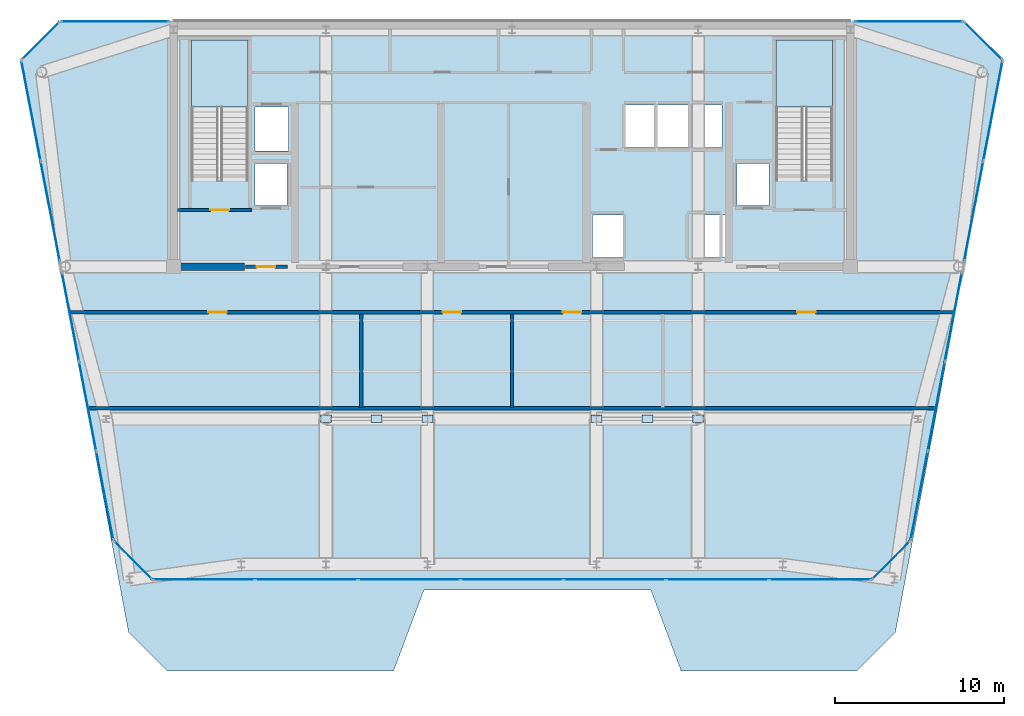
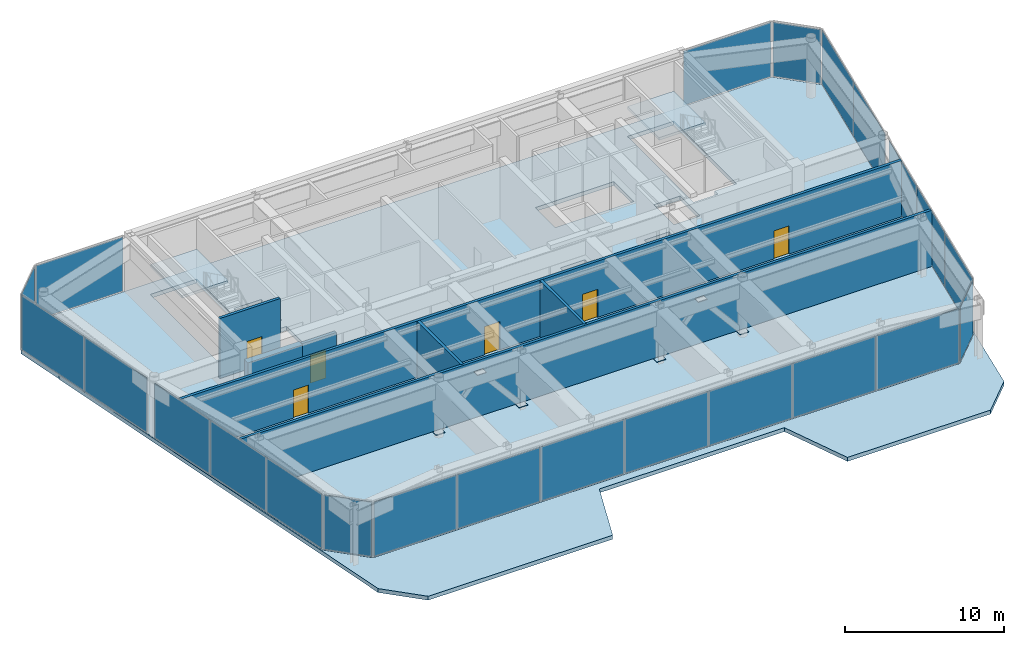
# One storey, part 9 of 14: 29 plates, 7 walls, 6 doors, 4 slabs, 6 openings, 13 elements without a shape of their own.
"""IFC4 building model written with IfcOpenShell, lengths in metres."""

from ifc_helpers import new_model, si_unit, direction, frame, frame_2d, origin, origin_2d, place, context, subcontext, project, spatial, polyline, rectangle, outline, extrude, source, transform, mapped, material, layer, layer_set, type_object, element, fill, aggregate, save


model = new_model("IFC4")

# Units and contexts
model_context = context("Model", 3, precision=1e-05, world=origin(), true_north=direction((0.0, 1.0)))
body_context = subcontext(model_context, "Body", "Model", "MODEL_VIEW")
ifc_project = project(units=[si_unit("LENGTHUNIT", "METRE"), si_unit("AREAUNIT", "SQUARE_METRE"), si_unit("VOLUMEUNIT", "CUBIC_METRE"), si_unit("PLANEANGLEUNIT", "RADIAN"), si_unit("MASSUNIT", "GRAM", prefix="KILO")], contexts=[model_context])

# Site, building, storey
site_placement = place(None, origin())
site = spatial("IfcSite", under=ifc_project, at=site_placement, CompositionType="ELEMENT")
building_placement = place(site_placement, origin())
building = spatial("IfcBuilding", under=site, at=building_placement, Name="Vaeldorn Concourse Tower", CompositionType="ELEMENT")
storey_placement = place(building_placement, frame((0.0, 0.0, 303.800048828125)))
storey = spatial("IfcBuildingStorey", under=building, at=storey_placement, Name="L78", CompositionType="ELEMENT", Elevation=303.800048828125)

# Slab
ifc_material_1 = material(Name="Concrete C40/50", Category="concrete")
ifc_layer_1 = layer(ifc_material_1, 0.300048828125)
ifc_layer_set_1 = layer_set([ifc_layer_1], Name="Concrete C40/50")
slab_type_1 = type_object("IfcSlabType", Name="SL-CROWN-ROOF", PredefinedType="ROOF", material=ifc_layer_set_1)
slab_1_placement = place(storey_placement, frame((0.0, 0.0, -0.300048828125)))
element("IfcSlab", 1, at=slab_1_placement, inside=storey, type_object=slab_type_1, Name="Stepped Crown Terrace Roof Slab L78", PredefinedType="ROOF", context=body_context, shape_type="SweptSolid", body=[
    extrude(outline(polyline([(62.32958984375, 45.122802734375), (57.569580078125, 20.297119140625), (57.5693359375, 20.295654296875), (57.56884765625, 20.294189453125), (57.568359375, 20.29296875), (57.5673828125, 20.291748046875), (57.566650390625, 20.29052734375), (57.565673828125, 20.289306640625), (55.265625, 17.989501953125), (55.264404296875, 17.98828125), (55.26318359375, 17.987548828125), (55.26220703125, 17.98681640625), (55.2607421875, 17.986083984375), (55.259521484375, 17.985595703125), (55.2578125, 17.9853515625), (55.256591796875, 17.985107421875), (55.2548828125, 17.985107421875), (12.7451171875, 17.985107421875), (12.743408203125, 17.985107421875), (12.7421875, 17.9853515625), (12.740478515625, 17.985595703125), (12.7392578125, 17.986083984375), (12.73779296875, 17.98681640625), (12.73681640625, 17.987548828125), (12.735595703125, 17.98828125), (12.734375, 17.989501953125), (10.434326171875, 20.289306640625), (10.433349609375, 20.29052734375), (10.4326171875, 20.291748046875), (10.431640625, 20.29296875), (10.43115234375, 20.294189453125), (10.4306640625, 20.295654296875), (10.430419921875, 20.297119140625), (5.67041015625, 45.122802734375), (11.3359375, 14.89990234375), (13.635986328125, 12.60009765625), (27.0, 12.60009765625), (28.800048828125, 17.39990234375), (42.199951171875, 17.39990234375), (44.0, 12.60009765625), (54.364013671875, 12.60009765625), (56.6640625, 14.89990234375), (62.32958984375, 45.122802734375)])), origin(), (0.0, 0.0, 1.0), 0.300048828125),
])

# Stair, slab
ifc_material_2 = material(Name="Precast concrete C40/50", Category="concrete")
stair_type = type_object("IfcStairType", Name="STR-DOG-30x153", PredefinedType="HALF_TURN_STAIR", material=ifc_material_2)
stair_1_placement = place(storey_placement, origin())
stair_1 = element("IfcStair", 2, at=stair_1_placement, inside=storey, type_object=stair_type, Name="L78 West Core Exit Stair ST-1", PredefinedType="HALF_TURN_STAIR")
ifc_layer_2 = layer(ifc_material_1, 0.199951171875)
ifc_layer_set_2 = layer_set([ifc_layer_2], Name="Concrete C40/50")
slab_type_2 = type_object("IfcSlabType", Name="SL-STAIR-LANDING", PredefinedType="LANDING", material=ifc_layer_set_2)
slab_2_placement = place(storey_placement, frame((0.0, 0.0, 2.099853515625)))
slab_2 = element("IfcSlab", 3, at=slab_2_placement, type_object=slab_type_2, Name="ST-1 landing 1", PredefinedType="LANDING", context=body_context, shape_type="SweptSolid", body=[
    extrude(outline(polyline([(18.39990234375, 45.93994140625), (18.39990234375, 49.89990234375), (15.050048828125, 49.89990234375), (15.050048828125, 45.93994140625), (18.39990234375, 45.93994140625)])), origin(), (0.0, 0.0, 1.0), 0.2001953125),
])
aggregate(stair_1, [slab_2])

stair_2_placement = place(storey_placement, origin())
stair_2 = element("IfcStair", 4, at=stair_2_placement, inside=storey, type_object=stair_type, Name="L78 East Core Exit Stair ST-2", PredefinedType="HALF_TURN_STAIR")
slab_3_placement = place(storey_placement, frame((0.0, 0.0, 2.099853515625)))
slab_3 = element("IfcSlab", 5, at=slab_3_placement, type_object=slab_type_2, Name="ST-2 landing 1", PredefinedType="LANDING", context=body_context, shape_type="SweptSolid", body=[
    extrude(outline(polyline([(52.949951171875, 45.93994140625), (52.949951171875, 49.89990234375), (49.60009765625, 49.89990234375), (49.60009765625, 45.93994140625), (52.949951171875, 45.93994140625)])), origin(), (0.0, 0.0, 1.0), 0.2001953125),
])
aggregate(stair_2, [slab_3])

# Slab
ifc_layer_3 = layer(ifc_material_1, 0.260009765625)
ifc_layer_set_3 = layer_set([ifc_layer_3], Name="Concrete C40/50")
slab_type_3 = type_object("IfcSlabType", Name="SL-TRN-260", PredefinedType="FLOOR", material=ifc_layer_set_3)
slab_4_placement = place(storey_placement, frame((0.0, 0.0, -0.300048828125)))
element("IfcSlab", 6, at=slab_4_placement, inside=storey, type_object=slab_type_3, Name="Structural Floor Slab L78", PredefinedType="FLOOR", context=body_context, shape_type="SweptSolid", body=[
    extrude(outline(polyline([(12.7451171875, 18.0), (55.2548828125, 18.0), (57.554931640625, 20.300048828125), (63.0, 48.699951171875), (60.699951171875, 51.0), (7.300048828125, 51.0), (5.0, 48.699951171875), (10.445068359375, 20.300048828125), (12.7451171875, 18.0)]), holes=[polyline([(18.39990234375, 42.0), (18.39990234375, 49.89990234375), (15.050048828125, 49.89990234375), (15.050048828125, 41.60009765625), (16.800048828125, 41.60009765625), (16.800048828125, 42.0), (18.39990234375, 42.0)]), polyline([(52.949951171875, 42.0), (52.949951171875, 49.89990234375), (49.60009765625, 49.89990234375), (49.60009765625, 41.60009765625), (51.35009765625, 41.60009765625), (51.35009765625, 42.0), (52.949951171875, 42.0)]), polyline([(38.75, 37.050048828125), (40.550048828125, 37.050048828125), (40.550048828125, 39.550048828125), (38.75, 39.550048828125), (38.75, 37.050048828125)]), polyline([(44.85009765625, 37.050048828125), (46.64990234375, 37.050048828125), (46.64990234375, 39.550048828125), (44.85009765625, 39.550048828125), (44.85009765625, 37.050048828125)]), polyline([(40.699951171875, 43.550048828125), (46.39990234375, 43.550048828125), (46.39990234375, 46.050048828125), (40.699951171875, 46.050048828125), (40.699951171875, 43.550048828125)]), polyline([(18.800048828125, 43.35009765625), (20.800048828125, 43.35009765625), (20.800048828125, 45.949951171875), (18.800048828125, 45.949951171875), (18.800048828125, 43.35009765625)]), polyline([(18.800048828125, 40.10009765625), (20.699951171875, 40.10009765625), (20.699951171875, 42.60009765625), (18.800048828125, 42.60009765625), (18.800048828125, 40.10009765625)]), polyline([(47.300048828125, 40.10009765625), (49.199951171875, 40.10009765625), (49.199951171875, 42.60009765625), (47.300048828125, 42.60009765625), (47.300048828125, 40.10009765625)])]), origin(), (0.0, 0.0, 1.0), 0.300048828125),
])

# Plates
ifc_material_3 = material(Name="Steel S460", Category="steel")
ifc_layer_4 = layer(ifc_material_3, 0.034912109375)
ifc_layer_set_4 = layer_set([ifc_layer_4], Name="Steel S460")
plate_type_1 = type_object("IfcPlateType", Name="PL-GUSSET-KN1", PredefinedType="USERDEFINED", material=ifc_layer_set_4)
shared_shape_1 = source(origin(), body_context, "Body", "SweptSolid", [
    extrude(rectangle(XDim=0.64990234375, YDim=0.449951171875, at=origin_2d()), origin(), (0.0, 0.0, 1.0), 0.034912109375),
])
for number, where, z_axis, x_axis, name in (
    (7, (23.0, 27.5, 0.232421875), (0.0, 0.0, 1.0), (1.0, 0.0, 0.0), "Structural Brace Connection Gusset L78-01"),
    (8, (26.0, 27.5, 3.78271484375), (0.0, 0.0, 1.0), (1.0, 0.0, 0.0), "Structural Brace Connection Gusset L78-02"),
    (9, (29.0, 27.5, 0.232421875), (0.0, 0.0, 1.0), (1.0, 0.0, 0.0), "Structural Brace Connection Gusset L78-03"),
    (10, (39.0, 27.5, 0.232421875), (0.0, 0.0, 1.0), (1.0, 0.0, 0.0), "Structural Brace Connection Gusset L78-04"),
    (11, (42.0, 27.5, 3.78271484375), (0.0, 0.0, 1.0), (1.0, 0.0, 0.0), "Structural Brace Connection Gusset L78-05"),
    (12, (45.0, 27.5, 0.232421875), (0.0, 0.0, 1.0), (1.0, 0.0, 0.0), "Structural Brace Connection Gusset L78-06"),
):
    element("IfcPlate", number, at=place(storey_placement, frame(where, z_axis=z_axis, x_axis=x_axis)), inside=storey, type_object=plate_type_1, Name=name, ObjectType="GUSSET PLATE", PredefinedType="USERDEFINED", context=body_context, shape_type="MappedRepresentation", body=[
        mapped(shared_shape_1, transform((0.0, 0.0, 0.0), scale=1.0)),
    ])

# Curtain wall, plates
ifc_material_4 = material(Name="Anodised Bronze Aluminium", Category="aluminium")
ifc_layer_5 = layer(ifc_material_4, 0.22998046875)
ifc_layer_set_5 = layer_set([ifc_layer_5], Name="Anodised Bronze Aluminium")
curtain_wall_type = type_object("IfcCurtainWallType", Name="CW-SYS-07", PredefinedType="NOTDEFINED", material=ifc_layer_set_5)
curtain_wall_1_placement = place(storey_placement, origin())
curtain_wall_1 = element("IfcCurtainWall", 13, at=curtain_wall_1_placement, inside=storey, type_object=curtain_wall_type, Name="Unitised Curtain Wall CW-L78-E01-1", PredefinedType="NOTDEFINED")
ifc_material_5 = material(Name="Bronze Fritted Spandrel Insulated Glass", Category="glass")
ifc_layer_6 = layer(ifc_material_5, 0.035888671875)
ifc_layer_set_6 = layer_set([ifc_layer_6], Name="Bronze Fritted Spandrel Insulated Glass")
plate_type_2 = type_object("IfcPlateType", Name="CWP-SPANDREL-36", PredefinedType="CURTAIN_PANEL", material=ifc_layer_set_6)
shared_shape_2 = source(origin(), body_context, "Body", "SweptSolid", [
    extrude(rectangle(XDim=5.96044921875, YDim=0.035888671875, at=origin_2d()), origin(), (0.0, 0.0, 1.0), 4.14990234375),
])
plate_1_placement = place(storey_placement, frame((15.80029296875, 18.0, 0.074951171875), z_axis=(0.0, 0.0, 1.0), x_axis=(1.0, 0.0, 0.0)))
plate_1 = element("IfcPlate", 14, at=plate_1_placement, type_object=plate_type_2, Name="CW-07 panel 1.1", PredefinedType="CURTAIN_PANEL", context=body_context, shape_type="MappedRepresentation", body=[
    mapped(shared_shape_2, transform((0.0, 0.0, 0.0), scale=1.0)),
])
plate_2_placement = place(storey_placement, frame((52.19970703125, 18.0, 0.074951171875), z_axis=(0.0, 0.0, 1.0), x_axis=(1.0, 0.0, 0.0)))
plate_2 = element("IfcPlate", 15, at=plate_2_placement, type_object=plate_type_2, Name="CW-07 panel 7.1", PredefinedType="CURTAIN_PANEL", context=body_context, shape_type="MappedRepresentation", body=[
    mapped(shared_shape_2, transform((0.0, 0.0, 0.0), scale=1.0)),
])
shared_shape_3 = source(origin(), body_context, "Body", "SweptSolid", [
    extrude(rectangle(XDim=5.997802734375, YDim=0.035888671875, at=origin_2d()), origin(), (0.0, 0.0, 1.0), 4.14990234375),
])
plate_3_placement = place(storey_placement, frame((21.854248046875, 18.0, 0.074951171875), z_axis=(0.0, 0.0, 1.0), x_axis=(1.0, 0.0, 0.0)))
plate_3 = element("IfcPlate", 16, at=plate_3_placement, type_object=plate_type_2, Name="CW-07 panel 2.1", PredefinedType="CURTAIN_PANEL", context=body_context, shape_type="MappedRepresentation", body=[
    mapped(shared_shape_3, transform((0.0, 0.0, 0.0), scale=1.0)),
])
plate_4_placement = place(storey_placement, frame((27.92724609375, 18.0, 0.074951171875), z_axis=(0.0, 0.0, 1.0), x_axis=(1.0, 0.0, 0.0)))
plate_4 = element("IfcPlate", 17, at=plate_4_placement, type_object=plate_type_2, Name="CW-07 panel 3.1", PredefinedType="CURTAIN_PANEL", context=body_context, shape_type="MappedRepresentation", body=[
    mapped(shared_shape_3, transform((0.0, 0.0, 0.0), scale=1.0)),
])
plate_5_placement = place(storey_placement, frame((34.0, 18.0, 0.074951171875), z_axis=(0.0, 0.0, 1.0), x_axis=(1.0, 0.0, 0.0)))
plate_5 = element("IfcPlate", 18, at=plate_5_placement, type_object=plate_type_2, Name="CW-07 panel 4.1", PredefinedType="CURTAIN_PANEL", context=body_context, shape_type="MappedRepresentation", body=[
    mapped(shared_shape_3, transform((0.0, 0.0, 0.0), scale=1.0)),
])
plate_6_placement = place(storey_placement, frame((40.07275390625, 18.0, 0.074951171875), z_axis=(0.0, 0.0, 1.0), x_axis=(1.0, 0.0, 0.0)))
plate_6 = element("IfcPlate", 19, at=plate_6_placement, type_object=plate_type_2, Name="CW-07 panel 5.1", PredefinedType="CURTAIN_PANEL", context=body_context, shape_type="MappedRepresentation", body=[
    mapped(shared_shape_3, transform((0.0, 0.0, 0.0), scale=1.0)),
])
plate_7_placement = place(storey_placement, frame((46.145751953125, 18.0, 0.074951171875), z_axis=(0.0, 0.0, 1.0), x_axis=(1.0, 0.0, 0.0)))
plate_7 = element("IfcPlate", 20, at=plate_7_placement, type_object=plate_type_2, Name="CW-07 panel 6.1", PredefinedType="CURTAIN_PANEL", context=body_context, shape_type="MappedRepresentation", body=[
    mapped(shared_shape_3, transform((0.0, 0.0, 0.0), scale=1.0)),
])
aggregate(curtain_wall_1, [plate_1, plate_3, plate_4, plate_5, plate_6, plate_7, plate_2])

# Curtain wall, plate
curtain_wall_2_placement = place(storey_placement, origin())
curtain_wall_2 = element("IfcCurtainWall", 21, at=curtain_wall_2_placement, inside=storey, type_object=curtain_wall_type, Name="Unitised Curtain Wall CW-L78-E02-1", PredefinedType="NOTDEFINED")
shared_shape_4 = source(origin(), body_context, "Body", "SweptSolid", [
    extrude(rectangle(XDim=3.102783203125, YDim=0.035888671875, at=origin_2d()), origin(), (0.0, 0.0, 1.0), 4.14990234375),
])
plate_8_placement = place(storey_placement, frame((56.405029296875, 19.14990234375, 0.074951171875), z_axis=(0.0, 0.0, 1.0), x_axis=(0.707106781187, 0.707106781187, 0.0)))
plate_8 = element("IfcPlate", 22, at=plate_8_placement, type_object=plate_type_2, Name="CW-07 panel 1.1", PredefinedType="CURTAIN_PANEL", context=body_context, shape_type="MappedRepresentation", body=[
    mapped(shared_shape_4, transform((0.0, 0.0, 0.0), scale=1.0)),
])
aggregate(curtain_wall_2, [plate_8])

curtain_wall_3_placement = place(storey_placement, origin())
curtain_wall_3 = element("IfcCurtainWall", 23, at=curtain_wall_3_placement, inside=storey, type_object=curtain_wall_type, Name="Unitised Curtain Wall CW-L78-E04-1", PredefinedType="NOTDEFINED")
plate_9_placement = place(storey_placement, frame((61.85009765625, 49.85009765625, 0.074951171875), z_axis=(0.0, 0.0, 1.0), x_axis=(-0.707106781187, 0.707106781187, 0.0)))
plate_9 = element("IfcPlate", 24, at=plate_9_placement, type_object=plate_type_2, Name="CW-07 panel 1.1", PredefinedType="CURTAIN_PANEL", context=body_context, shape_type="MappedRepresentation", body=[
    mapped(shared_shape_4, transform((0.0, 0.0, 0.0), scale=1.0)),
])
aggregate(curtain_wall_3, [plate_9])

curtain_wall_4_placement = place(storey_placement, origin())
curtain_wall_4 = element("IfcCurtainWall", 25, at=curtain_wall_4_placement, inside=storey, type_object=curtain_wall_type, Name="Unitised Curtain Wall CW-L78-E06-1", PredefinedType="NOTDEFINED")
plate_10_placement = place(storey_placement, frame((6.14990234375, 49.85009765625, 0.074951171875), z_axis=(0.0, 0.0, 1.0), x_axis=(-0.707106781187, -0.707106781187, 0.0)))
plate_10 = element("IfcPlate", 26, at=plate_10_placement, type_object=plate_type_2, Name="CW-07 panel 1.1", PredefinedType="CURTAIN_PANEL", context=body_context, shape_type="MappedRepresentation", body=[
    mapped(shared_shape_4, transform((0.0, 0.0, 0.0), scale=1.0)),
])
aggregate(curtain_wall_4, [plate_10])

curtain_wall_5_placement = place(storey_placement, origin())
curtain_wall_5 = element("IfcCurtainWall", 27, at=curtain_wall_5_placement, inside=storey, type_object=curtain_wall_type, Name="Unitised Curtain Wall CW-L78-E08-1", PredefinedType="NOTDEFINED")
plate_11_placement = place(storey_placement, frame((11.594970703125, 19.14990234375, 0.074951171875), z_axis=(0.0, 0.0, 1.0), x_axis=(0.707106781187, -0.707106781187, 0.0)))
plate_11 = element("IfcPlate", 28, at=plate_11_placement, type_object=plate_type_2, Name="CW-07 panel 1.1", PredefinedType="CURTAIN_PANEL", context=body_context, shape_type="MappedRepresentation", body=[
    mapped(shared_shape_4, transform((0.0, 0.0, 0.0), scale=1.0)),
])
aggregate(curtain_wall_5, [plate_11])

# Curtain wall, plates
curtain_wall_6_placement = place(storey_placement, origin())
curtain_wall_6 = element("IfcCurtainWall", 29, at=curtain_wall_6_placement, inside=storey, type_object=curtain_wall_type, Name="Unitised Curtain Wall CW-L78-E03-1", PredefinedType="NOTDEFINED")
shared_shape_5 = source(origin(), body_context, "Body", "SweptSolid", [
    extrude(rectangle(XDim=5.279052734375, YDim=0.035888671875, at=origin_2d()), origin(), (0.0, 0.0, 1.0), 4.14990234375),
])
plate_12_placement = place(storey_placement, frame((58.066162109375, 22.9658203125, 0.074951171875), z_axis=(0.0, 0.0, 1.0), x_axis=(0.188298388323, 0.982111865805, 0.0)))
plate_12 = element("IfcPlate", 30, at=plate_12_placement, type_object=plate_type_2, Name="CW-07 panel 1.1", PredefinedType="CURTAIN_PANEL", context=body_context, shape_type="MappedRepresentation", body=[
    mapped(shared_shape_5, transform((0.0, 0.0, 0.0), scale=1.0)),
])
plate_13_placement = place(storey_placement, frame((60.08935546875, 33.51904296875, 0.074951171875), z_axis=(0.0, 0.0, 1.0), x_axis=(0.188298388323, 0.982111865805, 0.0)))
plate_13 = element("IfcPlate", 31, at=plate_13_placement, type_object=plate_type_2, Name="CW-07 panel 3.1", PredefinedType="CURTAIN_PANEL", context=body_context, shape_type="MappedRepresentation", body=[
    mapped(shared_shape_5, transform((0.0, 0.0, 0.0), scale=1.0)),
])

curtain_wall_7_placement = place(storey_placement, origin())
curtain_wall_7 = element("IfcCurtainWall", 32, at=curtain_wall_7_placement, inside=storey, type_object=curtain_wall_type, Name="Unitised Curtain Wall CW-L78-E07-2", PredefinedType="NOTDEFINED")
plate_14_placement = place(storey_placement, frame((7.91064453125, 33.51904296875, 0.074951171875), z_axis=(0.0, 0.0, 1.0), x_axis=(0.188298388323, -0.982111865805, 0.0)))
plate_14 = element("IfcPlate", 33, at=plate_14_placement, type_object=plate_type_2, Name="CW-07 panel 1.1", PredefinedType="CURTAIN_PANEL", context=body_context, shape_type="MappedRepresentation", body=[
    mapped(shared_shape_5, transform((0.0, 0.0, 0.0), scale=1.0)),
])
plate_15_placement = place(storey_placement, frame((9.933837890625, 22.9658203125, 0.074951171875), z_axis=(0.0, 0.0, 1.0), x_axis=(0.188298388323, -0.982111865805, 0.0)))
plate_15 = element("IfcPlate", 34, at=plate_15_placement, type_object=plate_type_2, Name="CW-07 panel 3.1", PredefinedType="CURTAIN_PANEL", context=body_context, shape_type="MappedRepresentation", body=[
    mapped(shared_shape_5, transform((0.0, 0.0, 0.0), scale=1.0)),
])

# Plate
shared_shape_6 = source(origin(), body_context, "Body", "SweptSolid", [
    extrude(rectangle(XDim=5.31640625, YDim=0.035888671875, at=origin_2d()), origin(), (0.0, 0.0, 1.0), 4.14990234375),
])
plate_16_placement = place(storey_placement, frame((59.077880859375, 28.242431640625, 0.074951171875), z_axis=(0.0, 0.0, 1.0), x_axis=(0.188298388323, 0.982111865805, 0.0)))
plate_16 = element("IfcPlate", 35, at=plate_16_placement, type_object=plate_type_2, Name="CW-07 panel 2.1", PredefinedType="CURTAIN_PANEL", context=body_context, shape_type="MappedRepresentation", body=[
    mapped(shared_shape_6, transform((0.0, 0.0, 0.0), scale=1.0)),
])

aggregate(curtain_wall_6, [plate_12, plate_16, plate_13])

plate_17_placement = place(storey_placement, frame((8.922119140625, 28.242431640625, 0.074951171875), z_axis=(0.0, 0.0, 1.0), x_axis=(0.188298388323, -0.982111865805, 0.0)))
plate_17 = element("IfcPlate", 36, at=plate_17_placement, type_object=plate_type_2, Name="CW-07 panel 2.1", PredefinedType="CURTAIN_PANEL", context=body_context, shape_type="MappedRepresentation", body=[
    mapped(shared_shape_6, transform((0.0, 0.0, 0.0), scale=1.0)),
])

aggregate(curtain_wall_7, [plate_14, plate_17, plate_15])

# Curtain wall, plates
curtain_wall_8_placement = place(storey_placement, origin())
curtain_wall_8 = element("IfcCurtainWall", 37, at=curtain_wall_8_placement, inside=storey, type_object=curtain_wall_type, Name="Unitised Curtain Wall CW-L78-E03-2", PredefinedType="NOTDEFINED")
shared_shape_7 = source(origin(), body_context, "Body", "SweptSolid", [
    extrude(rectangle(XDim=5.955078125, YDim=0.035888671875, at=origin_2d()), origin(), (0.0, 0.0, 1.0), 4.14990234375),
])
plate_18_placement = place(storey_placement, frame((61.289794921875, 39.77978515625, 0.074951171875), z_axis=(0.0, 0.0, 1.0), x_axis=(0.188295684539, 0.982112384192, 0.0)))
plate_18 = element("IfcPlate", 38, at=plate_18_placement, type_object=plate_type_2, Name="CW-07 panel 1.1", PredefinedType="CURTAIN_PANEL", context=body_context, shape_type="MappedRepresentation", body=[
    mapped(shared_shape_7, transform((0.0, 0.0, 0.0), scale=1.0)),
])
plate_19_placement = place(storey_placement, frame((62.42529296875, 45.7021484375, 0.074951171875), z_axis=(0.0, 0.0, 1.0), x_axis=(0.188295684539, 0.982112384192, 0.0)))
plate_19 = element("IfcPlate", 39, at=plate_19_placement, type_object=plate_type_2, Name="CW-07 panel 2.1", PredefinedType="CURTAIN_PANEL", context=body_context, shape_type="MappedRepresentation", body=[
    mapped(shared_shape_7, transform((0.0, 0.0, 0.0), scale=1.0)),
])
aggregate(curtain_wall_8, [plate_18, plate_19])

curtain_wall_9_placement = place(storey_placement, origin())
curtain_wall_9 = element("IfcCurtainWall", 40, at=curtain_wall_9_placement, inside=storey, type_object=curtain_wall_type, Name="Unitised Curtain Wall CW-L78-E07-1", PredefinedType="NOTDEFINED")
plate_20_placement = place(storey_placement, frame((5.57470703125, 45.7021484375, 0.074951171875), z_axis=(0.0, 0.0, 1.0), x_axis=(0.188295684539, -0.982112384192, 0.0)))
plate_20 = element("IfcPlate", 41, at=plate_20_placement, type_object=plate_type_2, Name="CW-07 panel 1.1", PredefinedType="CURTAIN_PANEL", context=body_context, shape_type="MappedRepresentation", body=[
    mapped(shared_shape_7, transform((0.0, 0.0, 0.0), scale=1.0)),
])
plate_21_placement = place(storey_placement, frame((6.710205078125, 39.77978515625, 0.074951171875), z_axis=(0.0, 0.0, 1.0), x_axis=(0.188295684539, -0.982112384192, 0.0)))
plate_21 = element("IfcPlate", 42, at=plate_21_placement, type_object=plate_type_2, Name="CW-07 panel 2.1", PredefinedType="CURTAIN_PANEL", context=body_context, shape_type="MappedRepresentation", body=[
    mapped(shared_shape_7, transform((0.0, 0.0, 0.0), scale=1.0)),
])
aggregate(curtain_wall_9, [plate_20, plate_21])

# Curtain wall, plate
curtain_wall_10_placement = place(storey_placement, origin())
curtain_wall_10 = element("IfcCurtainWall", 43, at=curtain_wall_10_placement, inside=storey, type_object=curtain_wall_type, Name="Unitised Curtain Wall CW-L78-E05-1", PredefinedType="NOTDEFINED")
shared_shape_8 = source(origin(), body_context, "Body", "SweptSolid", [
    extrude(rectangle(XDim=6.330078125, YDim=0.035888671875, at=origin_2d()), origin(), (0.0, 0.0, 1.0), 4.14990234375),
])
plate_22_placement = place(storey_placement, frame((57.4599609375, 51.0, 0.074951171875), z_axis=(0.0, 0.0, 1.0), x_axis=(-1.0, 0.0, 0.0)))
plate_22 = element("IfcPlate", 44, at=plate_22_placement, type_object=plate_type_2, Name="CW-07 panel 1.1", PredefinedType="CURTAIN_PANEL", context=body_context, shape_type="MappedRepresentation", body=[
    mapped(shared_shape_8, transform((0.0, 0.0, 0.0), scale=1.0)),
])
aggregate(curtain_wall_10, [plate_22])

curtain_wall_11_placement = place(storey_placement, origin())
curtain_wall_11 = element("IfcCurtainWall", 45, at=curtain_wall_11_placement, inside=storey, type_object=curtain_wall_type, Name="Unitised Curtain Wall CW-L78-E05-2", PredefinedType="NOTDEFINED")
plate_23_placement = place(storey_placement, frame((10.5400390625, 51.0, 0.074951171875), z_axis=(0.0, 0.0, 1.0), x_axis=(-1.0, 0.0, 0.0)))
plate_23 = element("IfcPlate", 46, at=plate_23_placement, type_object=plate_type_2, Name="CW-07 panel 1.1", PredefinedType="CURTAIN_PANEL", context=body_context, shape_type="MappedRepresentation", body=[
    mapped(shared_shape_8, transform((0.0, 0.0, 0.0), scale=1.0)),
])
aggregate(curtain_wall_11, [plate_23])

# Wall
ifc_material_6 = material(Name="Concrete C50/60", Category="concrete")
ifc_layer_7 = layer(ifc_material_6, 0.449951171875)
ifc_layer_set_7 = layer_set([ifc_layer_7], Name="Concrete C50/60")
wall_type_1 = type_object("IfcWallType", Name="WL-CORE-450", PredefinedType="SHEAR", material=ifc_layer_set_7)
wall_1_placement = place(storey_placement, frame((14.2451171875, 36.5, 0.0), z_axis=(0.0, 0.0, 1.0), x_axis=(1.0, 0.0, 0.0)))
element("IfcWall", 47, at=wall_1_placement, inside=storey, type_object=wall_type_1, Name="Rear Core Shear Wall L78 S1", PredefinedType="SHEAR", context=body_context, shape_type="SweptSolid", body=[
    extrude(rectangle(XDim=3.954833984375, YDim=0.449951171875, at=frame_2d((1.9775390625, 0.0))), origin(), (0.0, 0.0, 1.0), 3.300048828125),
])

# Wall, opening, door
ifc_layer_8 = layer(ifc_material_6, 0.199951171875)
ifc_layer_set_8 = layer_set([ifc_layer_8], Name="Concrete C50/60")
wall_type_2 = type_object("IfcWallType", Name="WL-SHAFT-200", PredefinedType="SOLIDWALL", material=ifc_layer_set_8)
wall_2_placement = place(storey_placement, frame((14.22509765625, 39.85009765625, 0.0), z_axis=(0.0, 0.0, 1.0), x_axis=(1.0, 0.0, 0.0)))
wall_2 = element("IfcWall", 48, at=wall_2_placement, inside=storey, type_object=wall_type_2, Name="Stair Shaft Wall CW-L78-ST-1-S", PredefinedType="SOLIDWALL", context=body_context, shape_type="SweptSolid", body=[
    extrude(rectangle(XDim=4.375, YDim=0.199951171875, at=frame_2d((2.1875, 0.0))), origin(), (0.0, 0.0, 1.0), 4.599853515625),
])
opening_1_placement = place(wall_2_placement, frame((1.949951171875, 0.0, 0.0)))
opening_1 = element("IfcOpeningElement", 49, at=opening_1_placement, cuts=wall_2, Name="Opening D-01", PredefinedType="OPENING", context=body_context, shape_type="SweptSolid", body=[
    extrude(rectangle(XDim=1.10009765625, YDim=2.14990234375, at=frame_2d((0.550048828125, 1.074951171875))), frame((0.0, 0.10986328125, 0.0), z_axis=(0.0, -1.0, 0.0), x_axis=(1.0, 0.0, 0.0)), (0.0, 0.0, 1.0), 0.219970703125),
])
ifc_material_7 = material(Name="Fire-Rated Timber and Steel Leaf", Category="steel")
door_type = type_object("IfcDoorType", Name="DR-FD60-1100", OperationType="NOTDEFINED", PredefinedType="DOOR", material=ifc_material_7)
shared_shape_9 = source(origin(), body_context, "Body", "SweptSolid", [
    extrude(rectangle(XDim=1.10009765625, YDim=2.14990234375, at=frame_2d((0.550048828125, 1.074951171875))), frame((0.0, 0.02490234375, 0.0), z_axis=(0.0, -1.0, 0.0), x_axis=(1.0, 0.0, 0.0)), (0.0, 0.0, 1.0), 0.050048828125),
])
door_1_placement = place(opening_1_placement, origin())
door_1 = element("IfcDoor", 50, at=door_1_placement, inside=storey, type_object=door_type, Name="Interior Door DR-L78-ST-1", OperationType="SINGLE_SWING_LEFT", OverallHeight=2.14990234375, OverallWidth=1.10009765625, PredefinedType="DOOR", context=body_context, shape_type="MappedRepresentation", body=[
    mapped(shared_shape_9, transform((0.0, 0.0, 0.0), scale=1.0)),
])
fill(opening_1, door_1)

wall_3_placement = place(storey_placement, frame((18.25, 36.5, 0.0), z_axis=(0.0, 0.0, 1.0), x_axis=(1.0, 0.0, 0.0)))
wall_3 = element("IfcWall", 51, at=wall_3_placement, inside=storey, type_object=wall_type_2, Name="Interior Wall CW-L78-FF1S", PredefinedType="SOLIDWALL", context=body_context, shape_type="SweptSolid", body=[
    extrude(rectangle(XDim=2.469970703125, YDim=0.199951171875, at=frame_2d((1.23486328125, 0.0))), origin(), (0.0, 0.0, 1.0), 3.2900390625),
])
opening_2_placement = place(wall_3_placement, frame((0.64990234375, 0.0, 0.0)))
opening_2 = element("IfcOpeningElement", 52, at=opening_2_placement, cuts=wall_3, Name="Opening D-01", PredefinedType="OPENING", context=body_context, shape_type="SweptSolid", body=[
    extrude(rectangle(XDim=1.10009765625, YDim=2.14990234375, at=frame_2d((0.550048828125, 1.074951171875))), frame((0.0, 0.10986328125, 0.0), z_axis=(0.0, -1.0, 0.0), x_axis=(1.0, 0.0, 0.0)), (0.0, 0.0, 1.0), 0.219970703125),
])
door_2_placement = place(opening_2_placement, origin())
door_2 = element("IfcDoor", 53, at=door_2_placement, inside=storey, type_object=door_type, Name="Interior Door DR-L78-FF1E", OperationType="SINGLE_SWING_RIGHT", OverallHeight=2.14990234375, OverallWidth=1.10009765625, PredefinedType="DOOR", context=body_context, shape_type="MappedRepresentation", body=[
    mapped(shared_shape_9, transform((0.0, 0.0, 0.0), scale=1.0)),
])
fill(opening_2, door_2)

# Wall, openings, doors
wall_4_placement = place(storey_placement, frame((7.896728515625, 33.800048828125, 0.0), z_axis=(0.0, 0.0, 1.0), x_axis=(1.0, 0.0, 0.0)))
wall_4 = element("IfcWall", 54, at=wall_4_placement, inside=storey, type_object=wall_type_2, Name="Interior Wall PW-L78-PCOR", PredefinedType="SOLIDWALL", context=body_context, shape_type="SweptSolid", body=[
    extrude(rectangle(XDim=52.20654296875, YDim=0.199951171875, at=frame_2d((26.103271484375, 0.0))), origin(), (0.0, 0.0, 1.0), 4.300048828125),
])
opening_3_placement = place(wall_4_placement, frame((8.152099609375, 0.0, 0.0)))
opening_3 = element("IfcOpeningElement", 55, at=opening_3_placement, cuts=wall_4, Name="Opening D-01", PredefinedType="OPENING", context=body_context, shape_type="SweptSolid", body=[
    extrude(rectangle(XDim=1.10009765625, YDim=2.14990234375, at=frame_2d((0.550048828125, 1.074951171875))), frame((0.0, 0.10986328125, 0.0), z_axis=(0.0, -1.0, 0.0), x_axis=(1.0, 0.0, 0.0)), (0.0, 0.0, 1.0), 0.219970703125),
])
opening_4_placement = place(wall_4_placement, frame((22.0029296875, 0.0, 0.0)))
opening_4 = element("IfcOpeningElement", 56, at=opening_4_placement, cuts=wall_4, Name="Opening D-01", PredefinedType="OPENING", context=body_context, shape_type="SweptSolid", body=[
    extrude(rectangle(XDim=1.10009765625, YDim=2.14990234375, at=frame_2d((0.550048828125, 1.074951171875))), frame((0.0, 0.10986328125, 0.0), z_axis=(0.0, -1.0, 0.0), x_axis=(1.0, 0.0, 0.0)), (0.0, 0.0, 1.0), 0.219970703125),
])
opening_5_placement = place(wall_4_placement, frame((29.10302734375, 0.0, 0.0)))
opening_5 = element("IfcOpeningElement", 57, at=opening_5_placement, cuts=wall_4, Name="Opening D-01", PredefinedType="OPENING", context=body_context, shape_type="SweptSolid", body=[
    extrude(rectangle(XDim=1.10009765625, YDim=2.14990234375, at=frame_2d((0.550048828125, 1.074951171875))), frame((0.0, 0.10986328125, 0.0), z_axis=(0.0, -1.0, 0.0), x_axis=(1.0, 0.0, 0.0)), (0.0, 0.0, 1.0), 0.219970703125),
])
opening_6_placement = place(wall_4_placement, frame((42.955078125, 0.0, 0.0)))
opening_6 = element("IfcOpeningElement", 58, at=opening_6_placement, cuts=wall_4, Name="Opening D-01", PredefinedType="OPENING", context=body_context, shape_type="SweptSolid", body=[
    extrude(rectangle(XDim=1.10009765625, YDim=2.14990234375, at=frame_2d((0.550048828125, 1.074951171875))), frame((0.0, 0.10986328125, 0.0), z_axis=(0.0, -1.0, 0.0), x_axis=(1.0, 0.0, 0.0)), (0.0, 0.0, 1.0), 0.219970703125),
])
door_3_placement = place(opening_3_placement, origin())
door_3 = element("IfcDoor", 59, at=door_3_placement, inside=storey, type_object=door_type, Name="Interior Door DR-L78-PL1", OperationType="SINGLE_SWING_LEFT", OverallHeight=2.14990234375, OverallWidth=1.10009765625, PredefinedType="DOOR", context=body_context, shape_type="MappedRepresentation", body=[
    mapped(shared_shape_9, transform((0.0, 0.0, 0.0), scale=1.0)),
])
fill(opening_3, door_3)
door_4_placement = place(opening_4_placement, origin())
door_4 = element("IfcDoor", 60, at=door_4_placement, inside=storey, type_object=door_type, Name="Interior Door DR-L78-PL2", OperationType="SINGLE_SWING_RIGHT", OverallHeight=2.14990234375, OverallWidth=1.10009765625, PredefinedType="DOOR", context=body_context, shape_type="MappedRepresentation", body=[
    mapped(shared_shape_9, transform((0.0, 0.0, 0.0), scale=1.0)),
])
fill(opening_4, door_4)
door_5_placement = place(opening_5_placement, origin())
door_5 = element("IfcDoor", 61, at=door_5_placement, inside=storey, type_object=door_type, Name="Interior Door DR-L78-PL3", OperationType="SINGLE_SWING_LEFT", OverallHeight=2.14990234375, OverallWidth=1.10009765625, PredefinedType="DOOR", context=body_context, shape_type="MappedRepresentation", body=[
    mapped(shared_shape_9, transform((0.0, 0.0, 0.0), scale=1.0)),
])
fill(opening_5, door_5)
door_6_placement = place(opening_6_placement, origin())
door_6 = element("IfcDoor", 62, at=door_6_placement, inside=storey, type_object=door_type, Name="Interior Door DR-L78-PL4", OperationType="SINGLE_SWING_RIGHT", OverallHeight=2.14990234375, OverallWidth=1.10009765625, PredefinedType="DOOR", context=body_context, shape_type="MappedRepresentation", body=[
    mapped(shared_shape_9, transform((0.0, 0.0, 0.0), scale=1.0)),
])
fill(opening_6, door_6)

# Walls
wall_5_placement = place(storey_placement, frame((8.98193359375, 28.139892578125, 0.0), z_axis=(0.0, 0.0, 1.0), x_axis=(1.0, 0.0, 0.0)))
element("IfcWall", 63, at=wall_5_placement, inside=storey, type_object=wall_type_2, Name="Interior Wall PW-L78-CSN", PredefinedType="SOLIDWALL", context=body_context, shape_type="SweptSolid", body=[
    extrude(rectangle(XDim=50.0361328125, YDim=0.199951171875, at=frame_2d((25.01806640625, 0.0))), origin(), (0.0, 0.0, 1.0), 4.300048828125),
])
for number, where, z_axis, x_axis, name in (
    (64, (25.10009765625, 28.179931640625, 0.0), (0.0, 0.0, 1.0), (0.0, 1.0, 0.0), "Interior Wall PW-L78-PD1"),
    (65, (34.0, 28.179931640625, 0.0), (0.0, 0.0, 1.0), (0.0, 1.0, 0.0), "Interior Wall PW-L78-PD2"),
):
    element("IfcWall", number, at=place(storey_placement, frame(where, z_axis=z_axis, x_axis=x_axis)), inside=storey, type_object=wall_type_2, Name=name, PredefinedType="SOLIDWALL", context=body_context, shape_type="SweptSolid", body=[
        extrude(rectangle(XDim=5.52001953125, YDim=0.199951171875, at=frame_2d((2.760009765625, 0.0))), origin(), (0.0, 0.0, 1.0), 4.300048828125),
    ])

save(model, "model.ifc")
